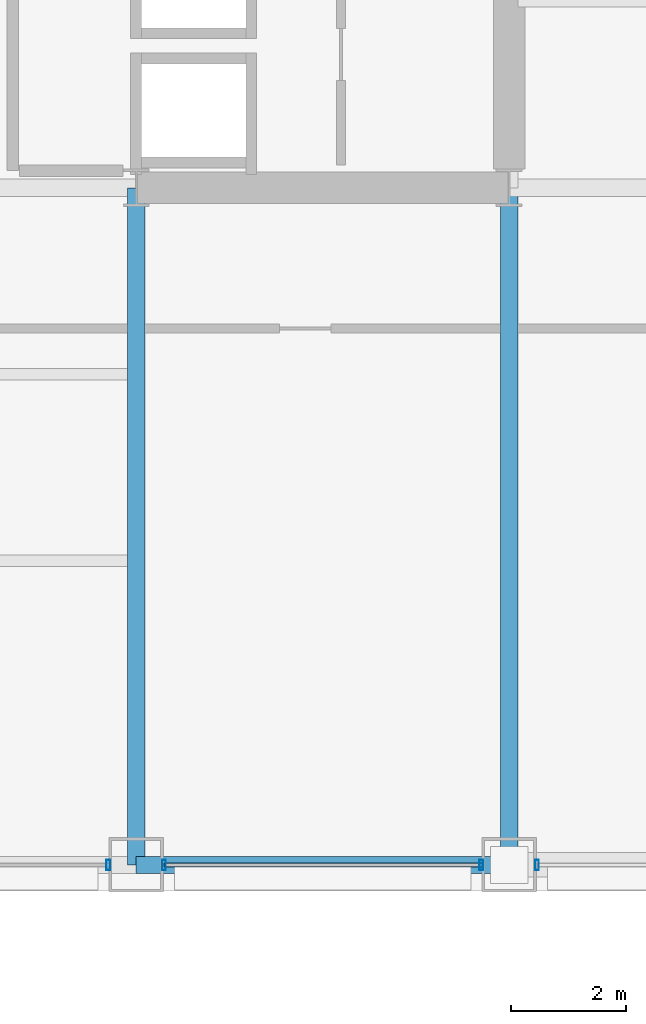
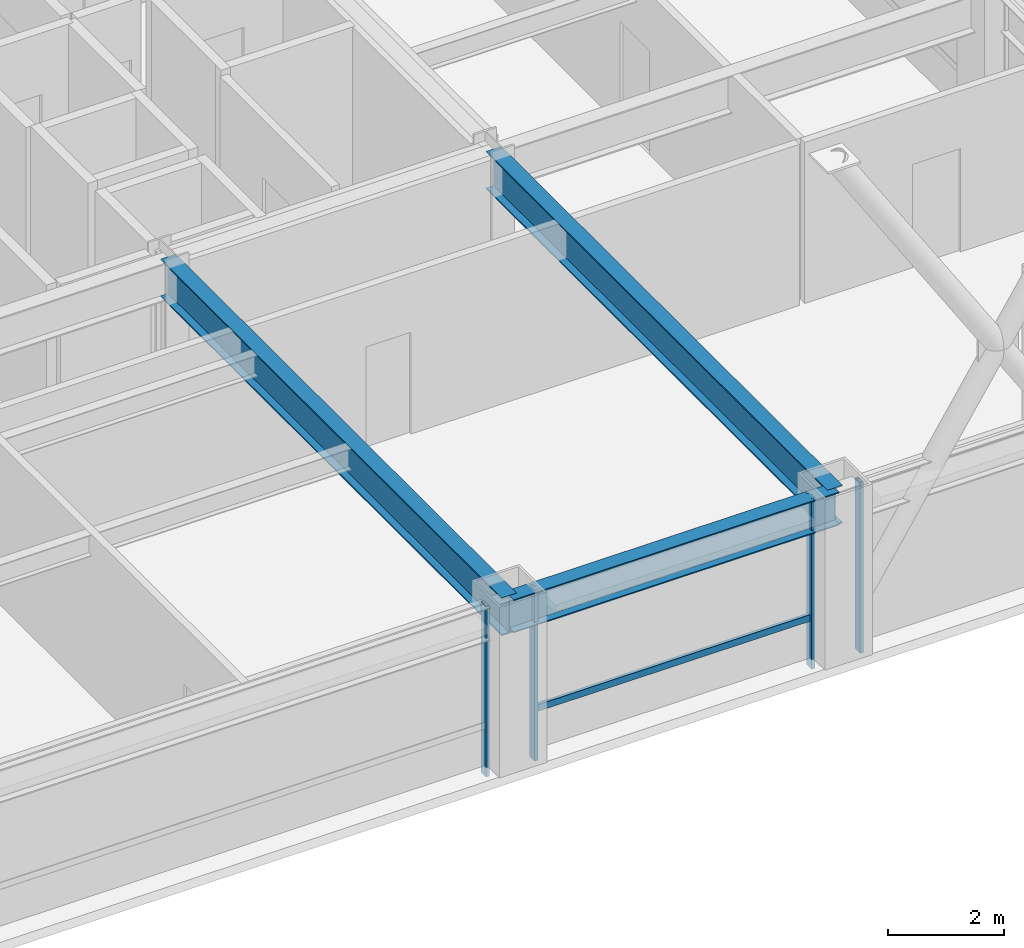
# One storey, part 11 of 34: 5 members, 3 beams, 3 elements without a shape of their own.
"""IFC4 building model written with IfcOpenShell, lengths in metres."""

from ifc_helpers import new_model, si_unit, direction, frame, origin, origin_2d, place, context, subcontext, project, spatial, hollow_rectangle, i_section, extrude, material, layer, layer_set, material_profile, profile_set, type_object, element, aggregate, save


model = new_model("IFC4")

# Units and contexts
model_context = context("Model", 3, precision=1e-05, world=origin(), true_north=direction((0.0, 1.0)))
body_context = subcontext(model_context, "Body", "Model", "MODEL_VIEW")
ifc_project = project(units=[si_unit("LENGTHUNIT", "METRE"), si_unit("AREAUNIT", "SQUARE_METRE"), si_unit("VOLUMEUNIT", "CUBIC_METRE"), si_unit("PLANEANGLEUNIT", "RADIAN"), si_unit("MASSUNIT", "GRAM", prefix="KILO")], contexts=[model_context])

# Site, building, storey
site_placement = place(None, origin())
site = spatial("IfcSite", under=ifc_project, at=site_placement, CompositionType="ELEMENT")
building_placement = place(site_placement, origin())
building = spatial("IfcBuilding", under=site, at=building_placement, Name="Brelmoor Portico Tower", CompositionType="ELEMENT")
storey_placement = place(building_placement, frame((0.0, 0.0, 45.60009765625)))
storey = spatial("IfcBuildingStorey", under=building, at=storey_placement, Name="L11", CompositionType="ELEMENT", Elevation=45.60009765625)

# Beams
ifc_material_1 = material(Name="Steel Q355B", Category="steel")
ifc_material_profile_1 = material_profile(ifc_material_1, i_section(OverallWidth=0.300048828125, OverallDepth=0.800048828125, WebThickness=0.013916015625, FlangeThickness=0.02587890625, at=origin_2d()), Name="HN 800x300x14x26")
ifc_profile_set_1 = profile_set([ifc_material_profile_1], Name="Steel Q355B")
beam_type_1 = type_object("IfcBeamType", Name="BM-PG-800", PredefinedType="BEAM", material=ifc_profile_set_1)
for number, where, z_axis, x_axis, name in (
    (1, (8.050048828125, -21.550048828125, 3.0), (0.0, 1.0, 0.0), (-1.0, 0.0, 0.0), "L11 Primary Floor Girder PG-09"),
    (2, (14.550048828125, -21.550048828125, 3.0), (0.0, 1.0, 0.0), (-1.0, 0.0, 0.0), "L11 Primary Floor Girder PG-11"),
):
    element("IfcBeam", number, at=place(storey_placement, frame(where, z_axis=z_axis, x_axis=x_axis)), inside=storey, type_object=beam_type_1, Name=name, PredefinedType="BEAM", context=body_context, shape_type="SweptSolid", body=[
        extrude(i_section(OverallWidth=0.300048828125, OverallDepth=0.800048828125, WebThickness=0.013916015625, FlangeThickness=0.02587890625, at=origin_2d()), origin(), (0.0, 0.0, 1.0), 11.800048828125),
    ])
ifc_material_profile_2 = material_profile(ifc_material_1, i_section(OverallWidth=0.300048828125, OverallDepth=0.699951171875, WebThickness=0.012939453125, FlangeThickness=0.02392578125, at=origin_2d()), Name="HN 700x300x13x24")
ifc_profile_set_2 = profile_set([ifc_material_profile_2], Name="Steel Q355B")
beam_type_2 = type_object("IfcBeamType", Name="BM-SP-700", PredefinedType="SPANDREL", material=ifc_profile_set_2)
beam_placement = place(storey_placement, frame((8.050048828125, -21.550048828125, 3.0498046875), z_axis=(1.0, 0.0, 0.0), x_axis=(0.0, 1.0, 0.0)))
element("IfcBeam", 3, at=beam_placement, inside=storey, type_object=beam_type_2, Name="L11 Perimeter Spandrel Beam SP-04", PredefinedType="SPANDREL", context=body_context, shape_type="SweptSolid", body=[
    extrude(i_section(OverallWidth=0.300048828125, OverallDepth=0.699951171875, WebThickness=0.012939453125, FlangeThickness=0.02392578125, at=origin_2d()), origin(), (0.0, 0.0, 1.0), 6.5),
])

# Curtain wall, member
ifc_material_2 = material(Name="Anodised Aluminium Alloy 6063-T6", Category="aluminium")
ifc_layer_1 = layer(ifc_material_2, 0.179931640625)
ifc_layer_set_1 = layer_set([ifc_layer_1], Name="Anodised Aluminium Alloy 6063-T6")
curtain_wall_type_1 = type_object("IfcCurtainWallType", Name="CW-TOWER-Z1", PredefinedType="NOTDEFINED", material=ifc_layer_set_1)
curtain_wall_1_placement = place(storey_placement, origin())
curtain_wall_1 = element("IfcCurtainWall", 4, at=curtain_wall_1_placement, inside=storey, type_object=curtain_wall_type_1, Name="L11 Curtain Wall CW-L11-1R-1", PredefinedType="NOTDEFINED")
ifc_material_profile_3 = material_profile(ifc_material_2, hollow_rectangle(XDim=0.06494140625, YDim=0.179931640625, WallThickness=0.00390625, at=origin_2d()), Name="ALU MULLION 65x180")
ifc_profile_set_3 = profile_set([ifc_material_profile_3], Name="Anodised Aluminium Alloy 6063-T6")
member_type_1 = type_object("IfcMemberType", Name="MB-CW-MULL-180", PredefinedType="MULLION", material=ifc_profile_set_3)
member_1_placement = place(storey_placement, frame((7.56494140625, -21.550048828125, -0.2001953125), z_axis=(0.0, 0.0, 1.0), x_axis=(1.0, 0.0, 0.0)))
member_1 = element("IfcMember", 5, at=member_1_placement, type_object=member_type_1, Name="CW-L11-1R-1 Mullion 01", PredefinedType="MULLION", context=body_context, shape_type="SweptSolid", body=[
    extrude(hollow_rectangle(XDim=0.06494140625, YDim=0.179931640625, WallThickness=0.00390625, at=origin_2d()), origin(), (0.0, 0.0, 1.0), 3.60009765625),
])
aggregate(curtain_wall_1, [member_1])

# Curtain wall, members
curtain_wall_2_placement = place(storey_placement, origin())
curtain_wall_2 = element("IfcCurtainWall", 6, at=curtain_wall_2_placement, inside=storey, type_object=curtain_wall_type_1, Name="L11 Curtain Wall CW-L11-1R-2", PredefinedType="NOTDEFINED")
member_2_placement = place(storey_placement, frame((8.534912109375, -21.550048828125, -0.2001953125), z_axis=(0.0, 0.0, 1.0), x_axis=(1.0, 0.0, 0.0)))
member_2 = element("IfcMember", 7, at=member_2_placement, type_object=member_type_1, Name="CW-L11-1R-2 Mullion 00", PredefinedType="MULLION", context=body_context, shape_type="SweptSolid", body=[
    extrude(hollow_rectangle(XDim=0.06494140625, YDim=0.179931640625, WallThickness=0.00390625, at=origin_2d()), origin(), (0.0, 0.0, 1.0), 3.60009765625),
])
member_3_placement = place(storey_placement, frame((14.06494140625, -21.550048828125, -0.2001953125), z_axis=(0.0, 0.0, 1.0), x_axis=(1.0, 0.0, 0.0)))
member_3 = element("IfcMember", 8, at=member_3_placement, type_object=member_type_1, Name="CW-L11-1R-2 Mullion 01", PredefinedType="MULLION", context=body_context, shape_type="SweptSolid", body=[
    extrude(hollow_rectangle(XDim=0.06494140625, YDim=0.179931640625, WallThickness=0.00390625, at=origin_2d()), origin(), (0.0, 0.0, 1.0), 3.60009765625),
])

# Curtain wall, member
ifc_layer_2 = layer(ifc_material_2, 0.179931640625)
ifc_layer_set_2 = layer_set([ifc_layer_2], Name="Anodised Aluminium Alloy 6063-T6")
curtain_wall_type_2 = type_object("IfcCurtainWallType", Name="CW-TOWER-Z1-XB", PredefinedType="NOTDEFINED", material=ifc_layer_set_2)
curtain_wall_3_placement = place(storey_placement, origin())
curtain_wall_3 = element("IfcCurtainWall", 9, at=curtain_wall_3_placement, inside=storey, type_object=curtain_wall_type_2, Name="L11 Curtain Wall CW-L11-1R-3", PredefinedType="NOTDEFINED")
member_4_placement = place(storey_placement, frame((15.034912109375, -21.550048828125, -0.2001953125), z_axis=(0.0, 0.0, 1.0), x_axis=(1.0, 0.0, 0.0)))
member_4 = element("IfcMember", 10, at=member_4_placement, type_object=member_type_1, Name="CW-L11-1R-3 Mullion 00", PredefinedType="MULLION", context=body_context, shape_type="SweptSolid", body=[
    extrude(hollow_rectangle(XDim=0.06494140625, YDim=0.179931640625, WallThickness=0.00390625, at=origin_2d()), origin(), (0.0, 0.0, 1.0), 3.60009765625),
])
aggregate(curtain_wall_3, [member_4])

# Member
ifc_material_profile_4 = material_profile(ifc_material_2, hollow_rectangle(XDim=0.06494140625, YDim=0.139892578125, WallThickness=0.00390625, at=origin_2d()), Name="ALU TRANSOM 65x140")
ifc_profile_set_4 = profile_set([ifc_material_profile_4], Name="Anodised Aluminium Alloy 6063-T6")
member_type_2 = type_object("IfcMemberType", Name="MB-CW-TRAN-140", PredefinedType="USERDEFINED", material=ifc_profile_set_4)
member_5_placement = place(storey_placement, frame((8.534912109375, -21.550048828125, 0.849853515625), z_axis=(1.0, 0.0, 0.0), x_axis=(0.0, 1.0, 0.0)))
member_5 = element("IfcMember", 11, at=member_5_placement, type_object=member_type_2, Name="CW-L11-1R-2 Transom 1-00", ObjectType="TRANSOM", PredefinedType="USERDEFINED", context=body_context, shape_type="SweptSolid", body=[
    extrude(hollow_rectangle(XDim=0.06494140625, YDim=0.139892578125, WallThickness=0.00390625, at=origin_2d()), origin(), (0.0, 0.0, 1.0), 5.530029296875),
])

aggregate(curtain_wall_2, [member_2, member_3, member_5])

save(model, "model.ifc")
